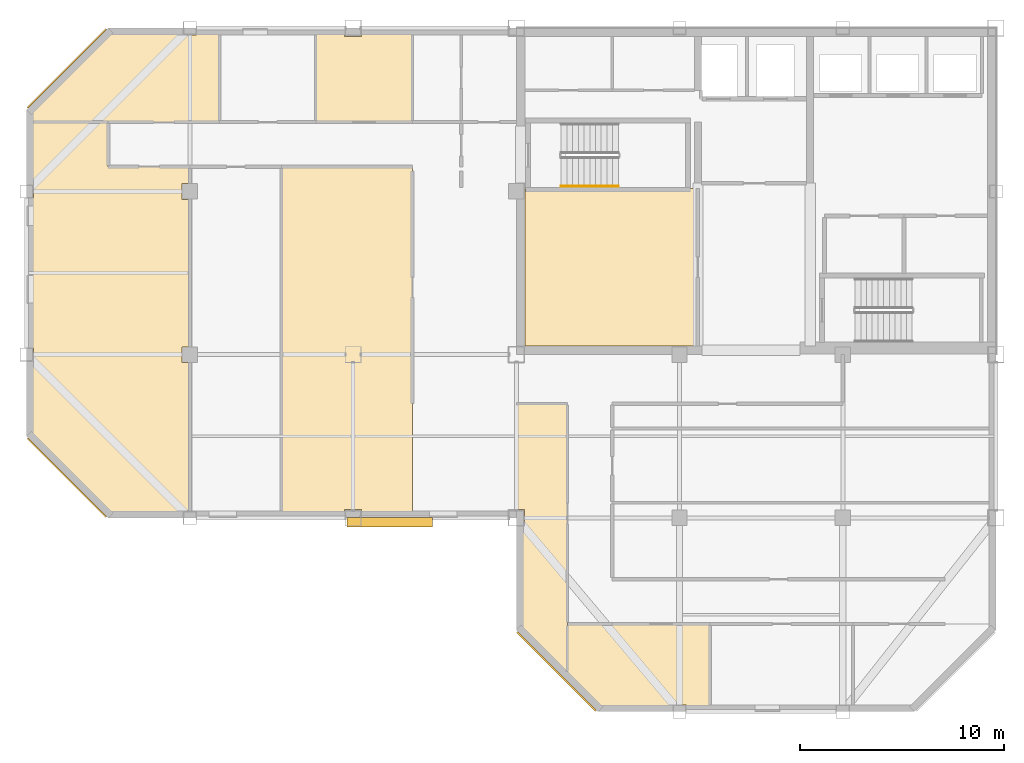
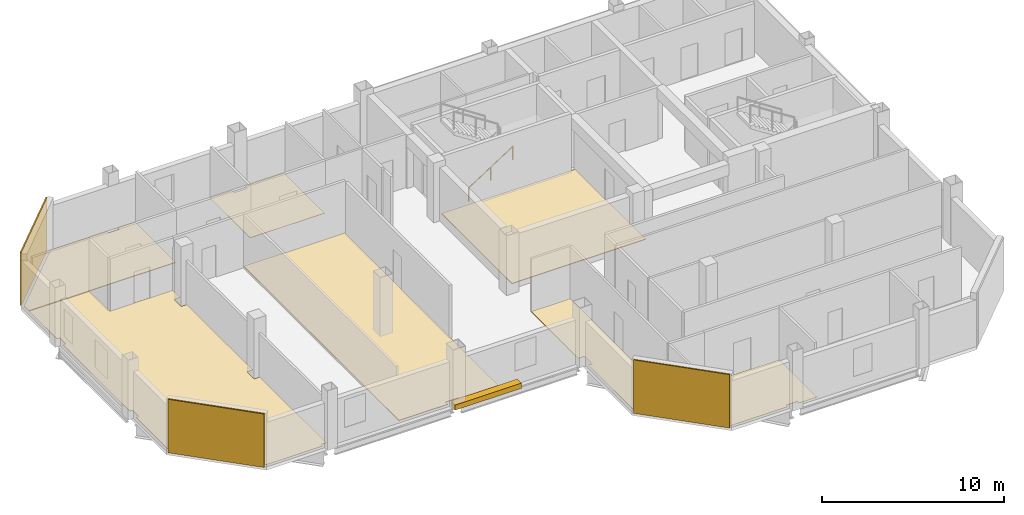
# One storey, part 5 of 7: 10 coverings, 1 railing, 1 shading device.
"""IFC4 building model written with IfcOpenShell, lengths in metres."""

import ifcopenshell
import ifcopenshell.guid

model = None  # the IFC model being written
_history = None  # IfcOwnerHistory: only IFC2X3 demands one
_inside = {}  # id of a spatial element -> (the spatial element, [elements in it])
_under = {}  # id of a project, library or spatial element -> (it, [spatial elements below it])
_declared = {}  # id of a project -> (the project, [libraries it declares])
_typed = {}  # id of a type object -> (the type object, [elements of that type])
_made_of = {}  # id of a material, layer set ... -> (it, [elements and type objects made of it])


def new_model(schema):
    """Start an empty IFC model of exactly this schema.

    Asked for "IFC4X3", IfcOpenShell would pick the latest addendum, in which some entities
    have other attributes; the version numbers below select the first issue.
    IFC2X3 requires an IfcOwnerHistory on every rooted entity: one is made here for all.
    """
    global model, _history
    if schema == "IFC4X3":
        model = ifcopenshell.file(schema_version=(4, 3, 0, 0))
    else:
        model = ifcopenshell.file(schema=schema)
    _inside.clear()
    _under.clear()
    _declared.clear()
    _typed.clear()
    _made_of.clear()
    _history = None
    if model.schema == "IFC2X3":
        org = make("IfcOrganization", Name="unknown")
        user = make(
            "IfcPersonAndOrganization",
            ThePerson=make("IfcPerson", FamilyName="unknown"),
            TheOrganization=org,
        )
        app = make(
            "IfcApplication",
            ApplicationDeveloper=org,
            Version="unknown",
            ApplicationFullName="unknown",
            ApplicationIdentifier="unknown",
        )
        _history = make(
            "IfcOwnerHistory",
            OwningUser=user,
            OwningApplication=app,
            ChangeAction="ADDED",
            CreationDate=0,
        )
    return model


def make(cls, **values):
    """One entity of the class cls with the attributes given. An attribute that is None is left unset."""
    return model.create_entity(
        cls, **{name: value for name, value in values.items() if value is not None}
    )


def rooted(cls, **values):
    """An entity with a GlobalId (a new one), such as an element, a storey or a relation."""
    return make(cls, GlobalId=ifcopenshell.guid.new(), OwnerHistory=_history, **values)


def si_unit(unit_type, name, prefix=None):
    """IfcSIUnit, for example si_unit("LENGTHUNIT", "METRE", prefix="MILLI")."""
    return make("IfcSIUnit", UnitType=unit_type, Prefix=prefix, Name=name)


def assignment(units):
    """IfcUnitAssignment: the units of a project."""
    return None if units is None else make("IfcUnitAssignment", Units=units)


def point(xyz):
    """IfcCartesianPoint."""
    return None if xyz is None else make("IfcCartesianPoint", Coordinates=xyz)


def direction(xyz):
    """IfcDirection."""
    return None if xyz is None else make("IfcDirection", DirectionRatios=xyz)


def frame(location, z_axis=None, x_axis=None):
    """IfcAxis2Placement3D, a coordinate frame: its origin and axes. An axis left out is left unset."""
    return make(
        "IfcAxis2Placement3D",
        Location=point(location),
        Axis=direction(z_axis),
        RefDirection=direction(x_axis),
    )


def frame_2d(location, x_axis=None):
    """IfcAxis2Placement2D, a coordinate frame in the plane: its origin and x axis."""
    return make(
        "IfcAxis2Placement2D", Location=point(location), RefDirection=direction(x_axis)
    )


def origin():
    """The frame at (0, 0, 0) with its axes left unset."""
    return frame((0.0, 0.0, 0.0))


def origin_2d():
    """The frame at (0, 0) in the plane with its x axis left unset."""
    return frame_2d((0.0, 0.0))


def place(relative_to, where):
    """IfcLocalPlacement: puts the frame where relative to a parent placement (None: the world)."""
    return make(
        "IfcLocalPlacement", PlacementRelTo=relative_to, RelativePlacement=where
    )


def context(
    kind, dimensions, precision=None, world=None, true_north=None, identifier=None
):
    """IfcGeometricRepresentationContext, for example the 3D "Model" context."""
    return make(
        "IfcGeometricRepresentationContext",
        ContextIdentifier=identifier,
        ContextType=kind,
        CoordinateSpaceDimension=dimensions,
        Precision=precision,
        WorldCoordinateSystem=world,
        TrueNorth=true_north,
    )


def subcontext(parent, identifier, kind, view, scale=None):
    """IfcGeometricRepresentationSubContext, for example "Body" below "Model"."""
    return make(
        "IfcGeometricRepresentationSubContext",
        ContextIdentifier=identifier,
        ContextType=kind,
        ParentContext=parent,
        TargetScale=scale,
        TargetView=view,
    )


def project(units=None, contexts=None):
    """IfcProject with its units and contexts."""
    return rooted(
        "IfcProject",
        Name="project",
        RepresentationContexts=contexts,
        UnitsInContext=assignment(units),
    )


def spatial(cls, under=None, at=None, **own):
    """A site, building, storey or space (cls), placed at a placement, below another one or the project."""
    s = rooted(cls, ObjectPlacement=at, **own)
    if under is not None:
        _under.setdefault(under.id(), (under, []))[1].append(s)
    return s


def polyline(points):
    """IfcPolyline through the points."""
    return make("IfcPolyline", Points=[point(p) for p in points])


def profile(cls, at=None, kind="AREA", **sizes):
    """A parametric profile (cls). Its sizes go by their IFC names, for example OverallWidth=200.0."""
    return make(cls, ProfileType=kind, Position=at, **sizes)


def rectangle(**sizes):
    """IfcRectangleProfileDef."""
    return profile("IfcRectangleProfileDef", **sizes)


def circle(**sizes):
    """IfcCircleProfileDef."""
    return profile("IfcCircleProfileDef", **sizes)


def outline(outer, holes=None, kind="AREA"):
    """IfcArbitraryClosedProfileDef: a profile drawn as a closed curve; with holes, ...WithVoids."""
    if holes is None:
        return make("IfcArbitraryClosedProfileDef", ProfileType=kind, OuterCurve=outer)
    return make(
        "IfcArbitraryProfileDefWithVoids",
        ProfileType=kind,
        OuterCurve=outer,
        InnerCurves=holes,
    )


def extrude(swept, where, along, depth):
    """IfcExtrudedAreaSolid: the profile swept, set in the frame where, extruded along a direction by depth."""
    return make(
        "IfcExtrudedAreaSolid",
        SweptArea=swept,
        Position=where,
        ExtrudedDirection=direction(along),
        Depth=depth,
    )


def shape(context_of_items, identifier, shape_type, items):
    """IfcShapeRepresentation: the items that make up one representation, for example the "Body"."""
    return make(
        "IfcShapeRepresentation",
        ContextOfItems=context_of_items,
        RepresentationIdentifier=identifier,
        RepresentationType=shape_type,
        Items=items,
    )


def material(Name=None, Category=None):
    """IfcMaterial."""
    return make("IfcMaterial", Name=Name, Category=Category)


def layer(
    of_material, thickness, ventilated=None, Name=None, Category=None, Priority=None
):
    """IfcMaterialLayer: one layer of a wall or slab, of a material (None: an air gap)."""
    return make(
        "IfcMaterialLayer",
        Material=of_material,
        LayerThickness=thickness,
        IsVentilated=ventilated,
        Name=Name,
        Category=Category,
        Priority=Priority,
    )


def layer_set(layers, Name=None):
    """IfcMaterialLayerSet."""
    return make("IfcMaterialLayerSet", MaterialLayers=layers, LayerSetName=Name)


def made_of(thing, what):
    """Note that an element or type object is made of a material, layer set ...; save() writes the relation."""
    if what is not None:
        _made_of.setdefault(what.id(), (what, []))[1].append(thing)
    return thing


def type_object(cls, material=None, **own):
    """A type object (cls), such as IfcWallType, which elements share."""
    return made_of(rooted(cls, **own), material)


def element(
    cls,
    number,
    at=None,
    inside=None,
    cuts=None,
    type_object=None,
    material=None,
    context=None,
    identifier="Body",
    shape_type=None,
    held_by="IfcProductDefinitionShape",
    body=None,
    shapes=None,
    **own,
):
    """One element of the class cls, such as IfcWall. Its Tag is "e" and its number.

    at: its placement. inside: the storey or other place that contains it. cuts: it is an
    opening in that element (IfcRelVoidsElement). A single representation is given by context,
    identifier, shape_type and body (its items); several are given by shapes. held_by: the class
    of the entity that holds the representations. save() writes the other relations.
    """
    e = rooted(cls, Tag="e%d" % number, ObjectPlacement=at, **own)
    if body is not None:
        shapes = [shape(context, identifier, shape_type, body)]
    if shapes is not None:
        e.Representation = make(held_by, Representations=shapes)
    if inside is not None:
        _inside.setdefault(inside.id(), (inside, []))[1].append(e)
    if cuts is not None:
        rooted(
            "IfcRelVoidsElement", RelatingBuildingElement=cuts, RelatedOpeningElement=e
        )
    if type_object is not None:
        _typed.setdefault(type_object.id(), (type_object, []))[1].append(e)
    return made_of(e, material)


def aggregate(whole, parts):
    """IfcRelAggregates: a whole, such as a stair, and the parts it consists of."""
    return rooted("IfcRelAggregates", RelatingObject=whole, RelatedObjects=parts)


def save(model, path):
    """Write the relations noted so far, then the file.

    IfcRelAggregates (storeys below a building ...), IfcRelContainedInSpatialStructure (elements
    in a storey), IfcRelDefinesByType, IfcRelAssociatesMaterial and IfcRelDeclares: one each for
    every whole, place, type object, material and project.
    """
    for whole, parts in _under.values():
        aggregate(whole, parts)
    for where, things in _inside.values():
        rooted(
            "IfcRelContainedInSpatialStructure",
            RelatedElements=things,
            RelatingStructure=where,
        )
    for kind, things in _typed.values():
        rooted("IfcRelDefinesByType", RelatedObjects=things, RelatingType=kind)
    for what, things in _made_of.values():
        rooted("IfcRelAssociatesMaterial", RelatedObjects=things, RelatingMaterial=what)
    for by, libraries in _declared.values():
        rooted("IfcRelDeclares", RelatingContext=by, RelatedDefinitions=libraries)
    model.write(path)


model = new_model("IFC4")

# Units and contexts
model_context = context("Model", 3, precision=1e-05, world=origin(), true_north=direction((0.0, 1.0)))
body_context = subcontext(model_context, "Body", "Model", "MODEL_VIEW")
ifc_project = project(units=[si_unit("LENGTHUNIT", "METRE"), si_unit("AREAUNIT", "SQUARE_METRE"), si_unit("VOLUMEUNIT", "CUBIC_METRE"), si_unit("PLANEANGLEUNIT", "RADIAN"), si_unit("MASSUNIT", "GRAM", prefix="KILO")], contexts=[model_context])

# Site, building, storey
site_placement = place(None, origin())
site = spatial("IfcSite", under=ifc_project, at=site_placement, CompositionType="ELEMENT")
building_placement = place(site_placement, origin())
building = spatial("IfcBuilding", under=site, at=building_placement, Name="Qianrong Seaharbour Tower", CompositionType="ELEMENT")
storey_placement = place(building_placement, frame((0.0, 0.0, 363.199951171875)))
storey = spatial("IfcBuildingStorey", under=building, at=storey_placement, Name="L88", CompositionType="ELEMENT", Elevation=363.199951171875)

# Coverings
ifc_material_1 = material(Name="Unitised red brick cladding on Precast concrete C45/55", Category="masonry")
ifc_layer_1 = layer(ifc_material_1, 0.080078125)
ifc_layer_set_1 = layer_set([ifc_layer_1], Name="Unitised red brick cladding on Precast concrete C45/55")
covering_type_1 = type_object("IfcCoveringType", Name="COV-CLAD-RED-BRICK-80", PredefinedType="CLADDING", material=ifc_layer_set_1)
for number, where, z_axis, x_axis, name in (
    (1, (18.4716796875, 29.9716796875, 0.0), (0.0, 0.0, 1.0), (-0.707106781187, 0.707106781187, 0.0), "L88 Chamfer Corner Brick Cladding 02"),
    (2, (18.4716796875, 50.0283203125, 0.0), (0.0, 0.0, 1.0), (0.707106781187, 0.707106781187, 0.0), "L88 Chamfer Corner Brick Cladding 04"),
    (3, (42.4716796875, 20.4716796875, 0.0), (0.0, 0.0, 1.0), (-0.707106781187, 0.707106781187, 0.0), "L88 Chamfer Corner Brick Cladding 09"),
):
    element("IfcCovering", number, at=place(storey_placement, frame(where, z_axis=z_axis, x_axis=x_axis)), inside=storey, type_object=covering_type_1, Name=name, PredefinedType="CLADDING", context=body_context, shape_type="SweptSolid", body=[
        extrude(rectangle(XDim=5.456787109375, YDim=0.080078125, at=origin_2d()), origin(), (0.0, 0.0, 1.0), 3.580078125),
    ])
ifc_material_2 = material(Name="Acoustic modular carpet tile flooring")
ifc_layer_2 = layer(ifc_material_2, 0.02001953125)
ifc_layer_set_2 = layer_set([ifc_layer_2], Name="Acoustic modular carpet tile flooring")
covering_type_2 = type_object("IfcCoveringType", Name="COV-FLOOR-CARPET-20", PredefinedType="FLOORING", material=ifc_layer_set_2)
covering_1_placement = place(storey_placement, origin())
element("IfcCovering", 4, at=covering_1_placement, inside=storey, type_object=covering_type_2, Name="L88 Boardroom 2 Finish Flooring", PredefinedType="FLOORING", context=body_context, shape_type="SweptSolid", body=[
    extrude(outline(polyline([(30.669921875, 51.8349609375), (32.090087890625, 51.8349609375), (32.090087890625, 51.590087890625), (32.909912109375, 51.590087890625), (32.909912109375, 51.8349609375), (35.39990234375, 51.8349609375), (35.39990234375, 47.39990234375), (30.669921875, 47.39990234375), (30.669921875, 51.8349609375)])), origin(), (0.0, 0.0, 1.0), 0.02001953125),
])
covering_2_placement = place(storey_placement, origin())
element("IfcCovering", 5, at=covering_2_placement, inside=storey, type_object=covering_type_2, Name="L88 Maritime Tribunal Hearing Hall Finish Flooring", PredefinedType="FLOORING", context=body_context, shape_type="SweptSolid", body=[
    extrude(outline(polyline([(20.568359375, 28.1650390625), (16.6650390625, 32.068359375), (16.6650390625, 35.6650390625), (16.8349609375, 35.6650390625), (16.8349609375, 36.3349609375), (16.6650390625, 36.3349609375), (16.6650390625, 43.6650390625), (16.8349609375, 43.6650390625), (16.8349609375, 44.3349609375), (16.6650390625, 44.3349609375), (16.6650390625, 47.39990234375), (20.5, 47.39990234375), (20.5, 45.199951171875), (24.5, 45.199951171875), (24.5, 44.385009765625), (24.114990234375, 44.385009765625), (24.114990234375, 43.614990234375), (24.5, 43.614990234375), (24.5, 36.385009765625), (24.114990234375, 36.385009765625), (24.114990234375, 35.614990234375), (24.5, 35.614990234375), (24.5, 28.3349609375), (24.1650390625, 28.3349609375), (24.1650390625, 28.1650390625), (20.568359375, 28.1650390625)])), origin(), (0.0, 0.0, 1.0), 0.02001953125),
])
covering_3_placement = place(storey_placement, origin())
element("IfcCovering", 6, at=covering_3_placement, inside=storey, type_object=covering_type_2, Name="L88 Wet Pantry Finish Flooring", PredefinedType="FLOORING", context=body_context, shape_type="SweptSolid", body=[
    extrude(outline(polyline([(43.0, 20.2333984375), (40.6650390625, 22.568359375), (40.6650390625, 27.590087890625), (40.909912109375, 27.590087890625), (40.909912109375, 28.409912109375), (40.5, 28.409912109375), (40.5, 33.60009765625), (43.0, 33.60009765625), (43.0, 20.2333984375)])), origin(), (0.0, 0.0, 1.0), 0.02001953125),
])
covering_4_placement = place(storey_placement, origin())
element("IfcCovering", 7, at=covering_4_placement, inside=storey, type_object=covering_type_2, Name="L88 Mediation Meeting Room 1 Finish Flooring", PredefinedType="FLOORING", context=body_context, shape_type="SweptSolid", body=[
    extrude(outline(polyline([(50.0, 18.6650390625), (48.8349609375, 18.6650390625), (48.8349609375, 18.8349609375), (48.1650390625, 18.8349609375), (48.1650390625, 18.6650390625), (44.568359375, 18.6650390625), (43.0, 20.2333984375), (43.0, 22.800048828125), (50.0, 22.800048828125), (50.0, 18.6650390625)])), origin(), (0.0, 0.0, 1.0), 0.02001953125),
])
ifc_material_3 = material(Name="Calcium-sulphate raised access floor tile")
ifc_layer_3 = layer(ifc_material_3, 0.044921875)
ifc_layer_set_3 = layer_set([ifc_layer_3], Name="Calcium-sulphate raised access floor tile")
covering_type_3 = type_object("IfcCoveringType", Name="COV-FLOOR-RAISED-45", PredefinedType="FLOORING", material=ifc_layer_set_3)
covering_5_placement = place(storey_placement, origin())
element("IfcCovering", 8, at=covering_5_placement, inside=storey, type_object=covering_type_3, Name="L88 Data Systems Office Finish Flooring", PredefinedType="FLOORING", context=body_context, shape_type="SweptSolid", body=[
    extrude(outline(polyline([(49.39990234375, 44.14990234375), (49.39990234375, 36.419921875), (40.919921875, 36.419921875), (40.919921875, 44.14990234375), (49.39990234375, 44.14990234375)])), origin(), (0.0, 0.0, 1.0), 0.045166015625),
])
covering_6_placement = place(storey_placement, origin())
element("IfcCovering", 9, at=covering_6_placement, inside=storey, type_object=covering_type_3, Name="L88 Legal Support Open-Plan Office Finish Flooring", PredefinedType="FLOORING", context=body_context, shape_type="SweptSolid", body=[
    extrude(outline(polyline([(16.6650390625, 47.931640625), (20.568359375, 51.8349609375), (24.1650390625, 51.8349609375), (24.1650390625, 51.6650390625), (24.8349609375, 51.6650390625), (24.8349609375, 51.8349609375), (25.949951171875, 51.8349609375), (25.949951171875, 47.39990234375), (16.6650390625, 47.39990234375), (16.6650390625, 47.931640625)])), origin(), (0.0, 0.0, 1.0), 0.045166015625),
])
covering_7_placement = place(storey_placement, origin())
element("IfcCovering", 10, at=covering_7_placement, inside=storey, type_object=covering_type_3, Name="L88 Partner Chambers Office 2 Finish Flooring", PredefinedType="FLOORING", context=body_context, shape_type="SweptSolid", body=[
    extrude(outline(polyline([(32.909912109375, 28.1650390625), (32.909912109375, 28.409912109375), (32.090087890625, 28.409912109375), (32.090087890625, 28.1650390625), (29.0, 28.1650390625), (29.0, 45.199951171875), (35.39990234375, 45.199951171875), (35.39990234375, 28.1650390625), (32.909912109375, 28.1650390625)])), origin(), (0.0, 0.0, 1.0), 0.045166015625),
])

# Railing
ifc_material_4 = material(Name="Stainless steel SUS316L continuous handrail", Category="steel")
railing_type = type_object("IfcRailingType", Name="RAIL-STAIR-HANDRAIL-900", PredefinedType="HANDRAIL", material=ifc_material_4)
railing_placement = place(storey_placement, frame((42.699951171875, 44.25, 0.181884765625)))
element("IfcRailing", 11, at=railing_placement, inside=storey, type_object=railing_type, Name="L88 ST-1 stair handrail 1", PredefinedType="HANDRAIL", context=body_context, shape_type="SweptSolid", body=[
    extrude(circle(Radius=0.02392578125, at=origin_2d()), frame((0.0, 0.0, 0.8759765625), z_axis=(0.838705829183, 0.0, 0.544584733623), x_axis=(0.0, 1.0, 0.0)), (0.0, 0.0, 1.0), 3.338623046875),
    extrude(circle(Radius=0.02099609375, at=origin_2d()), origin(), (0.0, 0.0, 1.0), 0.851806640625),
    extrude(circle(Radius=0.02099609375, at=origin_2d()), frame((1.39990234375, 0.0, 0.9091796875)), (0.0, 0.0, 1.0), 0.851806640625),
    extrude(circle(Radius=0.02099609375, at=origin_2d()), frame((2.800048828125, 0.0, 1.818115234375)), (0.0, 0.0, 1.0), 0.851806640625),
])

# Shading device
ifc_material_5 = material(Name="White architectural precast concrete C45/55", Category="concrete")
shading_device_type = type_object("IfcShadingDeviceType", Name="SHD-SUNSHADE-WHITE-320", PredefinedType="AWNING", material=ifc_material_5)
shading_device_placement = place(storey_placement, frame((34.300048828125, 27.780029296875, -0.02001953125), z_axis=(0.0, 0.0, 1.0), x_axis=(1.0, 0.0, 0.0)))
element("IfcShadingDevice", 12, at=shading_device_placement, inside=storey, type_object=shading_device_type, Name="L88 Climbing White Precast Ribbon Canopy Fin", PredefinedType="AWNING", context=body_context, shape_type="SweptSolid", body=[
    extrude(rectangle(XDim=4.199951171875, YDim=0.4599609375, at=origin_2d()), origin(), (0.0, 0.0, 1.0), 0.340087890625),
])

save(model, "model.ifc")
